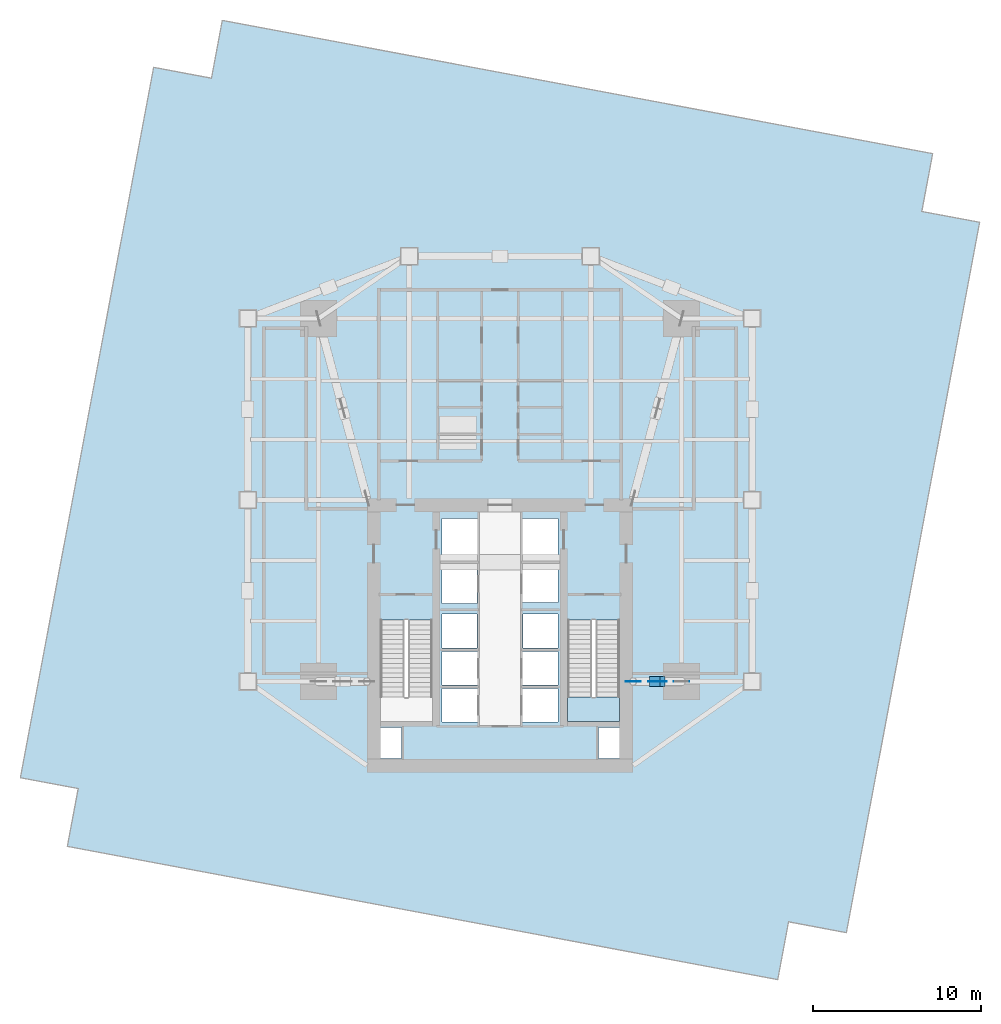
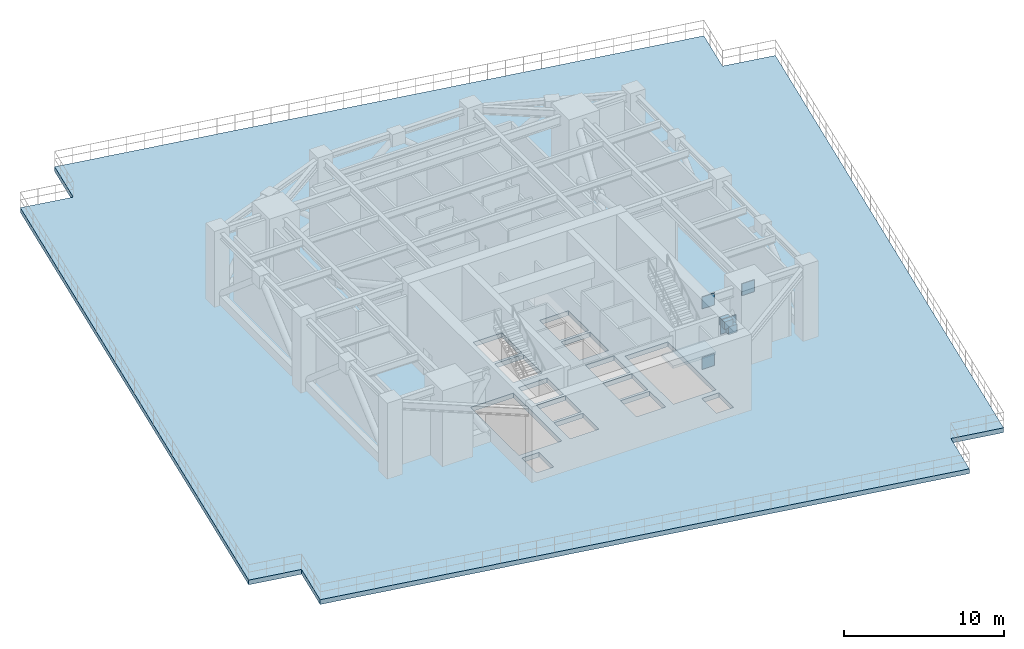
# One storey, part 3 of 10: 6 plates, 2 slabs, 1 element without a shape of its own.
"""IFC4 building model written with IfcOpenShell, lengths in metres."""

from ifc_helpers import new_model, si_unit, direction, frame, origin, origin_2d, place, context, subcontext, project, spatial, polyline, rectangle, outline, extrude, source, transform, mapped, material, layer, layer_set, type_object, type_shapes, element, aggregate, save


model = new_model("IFC4")

# Units and contexts
model_context = context("Model", 3, precision=1e-05, world=origin(), true_north=direction((0.0, 1.0)))
body_context = subcontext(model_context, "Body", "Model", "MODEL_VIEW")
ifc_project = project(units=[si_unit("LENGTHUNIT", "METRE"), si_unit("AREAUNIT", "SQUARE_METRE"), si_unit("VOLUMEUNIT", "CUBIC_METRE"), si_unit("PLANEANGLEUNIT", "RADIAN"), si_unit("MASSUNIT", "GRAM", prefix="KILO")], contexts=[model_context])

# Site, building, storey
site_placement = place(None, origin())
site = spatial("IfcSite", under=ifc_project, at=site_placement, CompositionType="ELEMENT")
building_placement = place(site_placement, origin())
building = spatial("IfcBuilding", under=site, at=building_placement, Name="Krantzveldt Concourse Tower", CompositionType="ELEMENT")
storey_placement = place(building_placement, frame((0.0, 0.0, 80.300048828125)))
storey = spatial("IfcBuildingStorey", under=building, at=storey_placement, Name="L19", CompositionType="ELEMENT", Elevation=80.300048828125)

# Stair, slab
ifc_material_1 = material(Name="Precast concrete C40/50", Category="concrete")
stair_type = type_object("IfcStairType", Name="STR-CORE-DOGLEG", PredefinedType="HALF_TURN_STAIR", material=ifc_material_1)
stair_placement = place(storey_placement, origin())
stair = element("IfcStair", 1, at=stair_placement, inside=storey, type_object=stair_type, Name="L19 Protected Escape Stair ST-2", PredefinedType="HALF_TURN_STAIR")
ifc_layer_1 = layer(ifc_material_1, 0.199951171875, Name="Precast concrete C40/50", Category="concrete")
ifc_layer_set_1 = layer_set([ifc_layer_1], Name="Precast concrete C40/50 (SL-LANDING-200)")
slab_type_1 = type_object("IfcSlabType", Name="SL-LANDING-200", PredefinedType="LANDING", material=ifc_layer_set_1)
slab_1_placement = place(storey_placement, frame((0.0, 0.0, 2.699951171875)))
slab_1 = element("IfcSlab", 2, at=slab_1_placement, type_object=slab_type_1, Name="ST-2 landing 1", PredefinedType="LANDING", context=body_context, shape_type="SweptSolid", body=[
    extrude(outline(polyline([(40.02001953125, 14.989990234375), (40.02001953125, 13.52001953125), (43.1201171875, 13.52001953125), (43.1201171875, 14.989990234375), (40.02001953125, 14.989990234375)])), origin(), (0.0, 0.0, 1.0), 0.199951171875),
])
aggregate(stair, [slab_1])

# Slab
ifc_material_2 = material(Name="Concrete C50/60", Category="concrete")
ifc_layer_2 = layer(ifc_material_2, 0.360107421875, Name="Concrete C50/60", Category="concrete")
ifc_layer_set_2 = layer_set([ifc_layer_2], Name="Concrete C50/60 (SL-SL-WND360)")
slab_type_2 = type_object("IfcSlabType", Name="SL-SL-WND360", PredefinedType="FLOOR", material=ifc_layer_set_2)
slab_2_placement = place(storey_placement, frame((0.0, 0.0, -0.360107421875)))
element("IfcSlab", 3, at=slab_2_placement, inside=storey, type_object=slab_type_2, Name="SL-L19-MAIN", PredefinedType="FLOOR", context=body_context, shape_type="SweptSolid", body=[
    extrude(outline(polyline([(18.832763671875, 51.795654296875), (15.392822265625, 52.44091796875), (7.46435546875, 10.17822265625), (10.904541015625, 9.53271484375), (10.259033203125, 6.0927734375), (52.52197265625, -1.83544921875), (53.167236328125, 1.6044921875), (56.607177734375, 0.959228515625), (64.53564453125, 43.221923828125), (61.095458984375, 43.8671875), (61.740966796875, 47.30712890625), (19.47802734375, 55.235595703125), (18.832763671875, 51.795654296875)]), holes=[polyline([(28.8798828125, 19.547607421875), (28.8798828125, 13.52001953125), (31.97998046875, 13.52001953125), (31.97998046875, 19.547607421875), (28.8798828125, 19.547607421875)]), polyline([(40.02001953125, 19.547607421875), (40.02001953125, 13.52001953125), (43.1201171875, 13.52001953125), (43.1201171875, 19.547607421875), (40.02001953125, 19.547607421875)]), polyline([(32.550048828125, 23.10009765625), (34.64990234375, 23.10009765625), (34.64990234375, 25.60009765625), (32.550048828125, 25.60009765625), (32.550048828125, 23.10009765625)]), polyline([(37.35009765625, 23.10009765625), (39.449951171875, 23.10009765625), (39.449951171875, 25.60009765625), (37.35009765625, 25.60009765625), (37.35009765625, 23.10009765625)]), polyline([(37.35009765625, 20.60009765625), (39.449951171875, 20.60009765625), (39.449951171875, 22.89990234375), (37.35009765625, 22.89990234375), (37.35009765625, 20.60009765625)]), polyline([(32.550048828125, 13.47998046875), (34.64990234375, 13.47998046875), (34.64990234375, 15.47998046875), (32.550048828125, 15.47998046875), (32.550048828125, 13.47998046875)]), polyline([(32.550048828125, 15.679931640625), (34.64990234375, 15.679931640625), (34.64990234375, 17.679931640625), (32.550048828125, 17.679931640625), (32.550048828125, 15.679931640625)]), polyline([(37.35009765625, 13.47998046875), (39.449951171875, 13.47998046875), (39.449951171875, 15.47998046875), (37.35009765625, 15.47998046875), (37.35009765625, 13.47998046875)]), polyline([(37.35009765625, 15.679931640625), (39.449951171875, 15.679931640625), (39.449951171875, 17.679931640625), (37.35009765625, 17.679931640625), (37.35009765625, 15.679931640625)]), polyline([(32.550048828125, 20.550048828125), (34.6201171875, 20.550048828125), (34.6201171875, 22.89990234375), (32.550048828125, 22.89990234375), (32.550048828125, 20.550048828125)]), polyline([(32.550048828125, 17.8798828125), (34.6201171875, 17.8798828125), (34.6201171875, 19.919921875), (32.550048828125, 19.919921875), (32.550048828125, 17.8798828125)]), polyline([(37.3798828125, 17.8798828125), (39.449951171875, 17.8798828125), (39.449951171875, 19.919921875), (37.3798828125, 19.919921875), (37.3798828125, 17.8798828125)]), polyline([(28.8798828125, 11.320068359375), (30.139892578125, 11.320068359375), (30.139892578125, 13.159912109375), (28.8798828125, 13.159912109375), (28.8798828125, 11.320068359375)]), polyline([(41.860107421875, 11.320068359375), (43.1201171875, 11.320068359375), (43.1201171875, 13.159912109375), (41.860107421875, 13.159912109375), (41.860107421875, 11.320068359375)])]), origin(), (0.0, 0.0, 1.0), 0.360107421875),
])

# Plates
ifc_material_3 = material(Name="Steel S355J2", Category="steel")
ifc_layer_3 = layer(ifc_material_3, 0.0400390625, Name="Steel S355J2", Category="steel")
ifc_layer_set_3 = layer_set([ifc_layer_3], Name="Steel S355J2 (PL-GUSSET-40)")
plate_type_1 = type_object("IfcPlateType", Name="PL-GUSSET-40", PredefinedType="USERDEFINED", material=ifc_layer_set_3)
shared_shape_1 = source(origin(), body_context, "Body", "SweptSolid", [
    extrude(rectangle(XDim=0.89990234375, YDim=0.0400390625, at=origin_2d()), origin(), (0.0, 0.0, 1.0), 0.89990234375),
])
type_shapes(plate_type_1, [shared_shape_1])
for number, where, z_axis, x_axis, name in (
    (4, (43.919921875, 15.89990234375, 0.0), (0.0, 0.0, 1.0), (1.0, 0.0, 0.0), "OT-SE-L19-GP1"),
    (5, (43.919921875, 15.89990234375, 4.6201171875), (0.0, 0.0, 1.0), (1.0, 0.0, 0.0), "OT-SE-L19-GP2"),
    (6, (46.800048828125, 15.89990234375, 4.6201171875), (0.0, 0.0, 1.0), (1.0, 0.0, 0.0), "OT-SE-L19-GP3"),
):
    element("IfcPlate", number, at=place(storey_placement, frame(where, z_axis=z_axis, x_axis=x_axis)), inside=storey, type_object=plate_type_1, Name=name, ObjectType="GUSSET PLATE", PredefinedType="USERDEFINED", context=body_context, shape_type="MappedRepresentation", body=[
        mapped(shared_shape_1, transform((0.0, 0.0, 0.0), x_axis=(1.0, 0.0, 0.0), y_axis=(0.0, 1.0, 0.0), z_axis=(0.0, 0.0, 1.0), scale=1.0)),
    ])
ifc_layer_4 = layer(ifc_material_3, 0.0400390625, Name="Steel S355J2", Category="steel")
ifc_layer_set_4 = layer_set([ifc_layer_4], Name="Steel S355J2 (PL-GUSSET-X40)")
plate_type_2 = type_object("IfcPlateType", Name="PL-GUSSET-X40", PredefinedType="USERDEFINED", material=ifc_layer_set_4)
shared_shape_2 = source(origin(), body_context, "Body", "SweptSolid", [
    extrude(rectangle(XDim=1.10009765625, YDim=0.0400390625, at=origin_2d()), origin(), (0.0, 0.0, 1.0), 1.10009765625),
])
type_shapes(plate_type_2, [shared_shape_2])
plate_placement = place(storey_placement, frame((45.360107421875, 15.89990234375, 2.2099609375), z_axis=(0.0, 0.0, 1.0), x_axis=(1.0, 0.0, 0.0)))
element("IfcPlate", 7, at=plate_placement, inside=storey, type_object=plate_type_2, Name="L19 Outrigger X-Brace Crossing Node Plate OT-SE", ObjectType="GUSSET PLATE", PredefinedType="USERDEFINED", context=body_context, shape_type="MappedRepresentation", body=[
    mapped(shared_shape_2, transform((0.0, 0.0, 0.0), x_axis=(1.0, 0.0, 0.0), y_axis=(0.0, 1.0, 0.0), z_axis=(0.0, 0.0, 1.0), scale=1.0)),
])
ifc_layer_5 = layer(ifc_material_3, 0.034912109375, Name="Steel S355J2", Category="steel")
ifc_layer_set_5 = layer_set([ifc_layer_5], Name="Steel S355J2 (PL-ENDCAP-35)")
plate_type_3 = type_object("IfcPlateType", Name="PL-ENDCAP-35", PredefinedType="SHEET", material=ifc_layer_set_5)
shared_shape_3 = source(origin(), body_context, "Body", "SweptSolid", [
    extrude(rectangle(XDim=0.6201171875, YDim=0.6201171875, at=origin_2d()), origin(), (0.0, 0.0, 1.0), 0.580078125),
])
type_shapes(plate_type_3, [shared_shape_3])
for number, where, z_axis, x_axis, name in (
    (8, (45.21044921875, 15.89990234375, 2.7099609375), (0.0, 0.0, 1.0), (1.0, 0.0, 0.0), "OT-SE-L19-ECA"),
    (9, (45.509765625, 15.89990234375, 2.229736328125), (0.0, 0.0, 1.0), (1.0, 0.0, 0.0), "OT-SE-L19-ECB"),
):
    element("IfcPlate", number, at=place(storey_placement, frame(where, z_axis=z_axis, x_axis=x_axis)), inside=storey, type_object=plate_type_3, Name=name, PredefinedType="SHEET", context=body_context, shape_type="MappedRepresentation", body=[
        mapped(shared_shape_3, transform((0.0, 0.0, 0.0), x_axis=(1.0, 0.0, 0.0), y_axis=(0.0, 1.0, 0.0), z_axis=(0.0, 0.0, 1.0), scale=1.0)),
    ])

save(model, "model.ifc")
